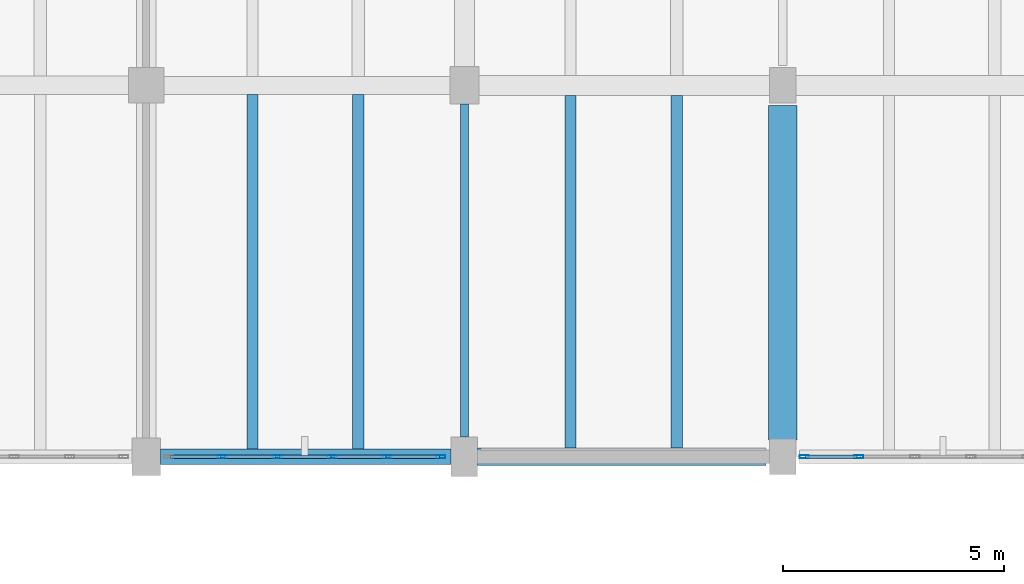
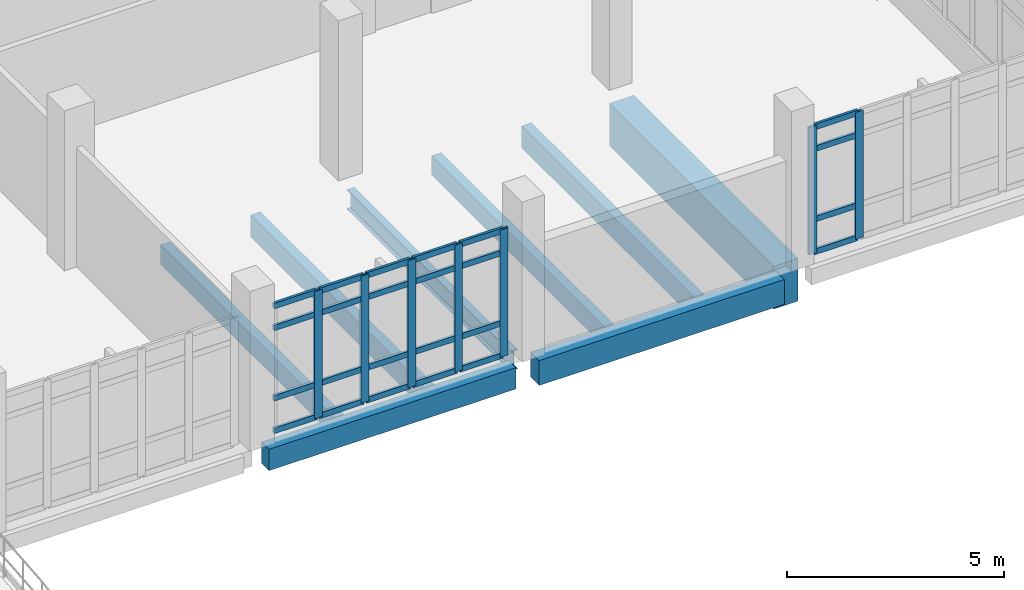
# One storey, part 71 of 124: 31 members, 8 beams, 2 elements without a shape of their own.
"""IFC4 building model written with IfcOpenShell, lengths in metres."""

from ifc_helpers import new_model, si_unit, direction, frame, origin, origin_2d, place, context, subcontext, project, spatial, rectangle, hollow_rectangle, i_section, extrude, material, material_profile, profile_set, type_object, element, aggregate, save


model = new_model("IFC4")

# Units and contexts
model_context = context("Model", 3, precision=1e-05, world=origin(), true_north=direction((0.0, 1.0)))
body_context = subcontext(model_context, "Body", "Model", "MODEL_VIEW")
ifc_project = project(units=[si_unit("LENGTHUNIT", "METRE"), si_unit("AREAUNIT", "SQUARE_METRE"), si_unit("VOLUMEUNIT", "CUBIC_METRE"), si_unit("PLANEANGLEUNIT", "RADIAN"), si_unit("MASSUNIT", "GRAM", prefix="KILO")], contexts=[model_context])

# Site, building, storey
site_placement = place(None, origin())
site = spatial("IfcSite", under=ifc_project, at=site_placement, CompositionType="ELEMENT")
building_placement = place(site_placement, origin())
building = spatial("IfcBuilding", under=site, at=building_placement, Name="Kalluvel Institute of Natural Sciences", CompositionType="ELEMENT")
storey_placement = place(building_placement, frame((0.0, 0.0, 9.89990234375)))
storey = spatial("IfcBuildingStorey", under=building, at=storey_placement, Name="L02", CompositionType="ELEMENT", Elevation=9.89990234375)

# Beams
ifc_material_1 = material(Name="Steel E350 Grade 350", Category="steel")
ifc_material_profile_1 = material_profile(ifc_material_1, i_section(OverallWidth=0.18994140625, OverallDepth=0.550048828125, WebThickness=0.01123046875, FlangeThickness=0.019287109375, FilletRadius=0.01806640625, at=origin_2d()), Name="ISMB 550")
ifc_profile_set_1 = profile_set([ifc_material_profile_1], Name="Steel E350 Grade 350")
beam_type_1 = type_object("IfcBeamType", Name="BM-ISMB550", PredefinedType="BEAM", material=ifc_profile_set_1)
beam_1_placement = place(storey_placement, frame((100.39990234375, 103.25, -0.594970703125), z_axis=(0.0, 1.0, 0.0), x_axis=(-1.0, 0.0, 0.0)))
element("IfcBeam", 1, at=beam_1_placement, inside=storey, type_object=beam_type_1, Name="L02 girder GIR-L02-NS-X1004-Y1028", PredefinedType="BEAM", context=body_context, shape_type="SweptSolid", body=[
    extrude(i_section(OverallWidth=0.18994140625, OverallDepth=0.550048828125, WebThickness=0.01123046875, FlangeThickness=0.019287109375, FilletRadius=0.01806640625, at=origin_2d()), origin(), (0.0, 0.0, 1.0), 7.52490234375),
])
ifc_material_2 = material(Name="Concrete M50", Category="concrete")
ifc_material_profile_2 = material_profile(ifc_material_2, rectangle(XDim=0.64990234375, YDim=1.199951171875, at=origin_2d()), Name="RCB 650x1200")
ifc_profile_set_2 = profile_set([ifc_material_profile_2], Name="Concrete M50")
beam_type_2 = type_object("IfcBeamType", Name="BM-RC650x1200", PredefinedType="BEAM", material=ifc_profile_set_2)
beam_2_placement = place(storey_placement, frame((107.60009765625, 103.175048828125, -0.919921875), z_axis=(0.0, 1.0, 0.0), x_axis=(-1.0, 0.0, 0.0)))
element("IfcBeam", 2, at=beam_2_placement, inside=storey, type_object=beam_type_2, Name="L02 girder GIR-L02-NS-X1076-Y1028", PredefinedType="BEAM", context=body_context, shape_type="SweptSolid", body=[
    extrude(rectangle(XDim=0.64990234375, YDim=1.199951171875, at=origin_2d()), origin(), (0.0, 0.0, 1.0), 7.574951171875),
])

# Curtain wall, members
ifc_material_3 = material(Name="Aluminium AW-6063 T6", Category="aluminium")
curtain_wall_type = type_object("IfcCurtainWallType", Name="CW-WET-45", PredefinedType="USERDEFINED", material=ifc_material_3)
curtain_wall_1_placement = place(storey_placement, origin())
curtain_wall_1 = element("IfcCurtainWall", 3, at=curtain_wall_1_placement, inside=storey, type_object=curtain_wall_type, Name="L02 Gothic lancet curtain wall CWA-L02-X937-Y1028", ObjectType="UNITISED LANCET FACADE", PredefinedType="USERDEFINED")
ifc_material_profile_3 = material_profile(ifc_material_3, hollow_rectangle(XDim=0.070068359375, YDim=0.2099609375, WallThickness=0.0048828125, at=origin_2d()), Name="CWM 70x210")
ifc_profile_set_3 = profile_set([ifc_material_profile_3], Name="Aluminium AW-6063 T6")
member_type_1 = type_object("IfcMemberType", Name="CWM-70x210", PredefinedType="MULLION", material=ifc_profile_set_3)
member_1_placement = place(storey_placement, frame((94.919921875, 102.800048828125, 0.0), z_axis=(0.0, 0.0, 1.0), x_axis=(0.0, 1.0, 0.0)))
member_1 = element("IfcMember", 4, at=member_1_placement, type_object=member_type_1, Name="CW-01 mullion 2", PredefinedType="MULLION", context=body_context, shape_type="SweptSolid", body=[
    extrude(hollow_rectangle(XDim=0.070068359375, YDim=0.2099609375, WallThickness=0.0048828125, at=origin_2d()), origin(), (0.0, 0.0, 1.0), 3.580078125),
])
member_2_placement = place(storey_placement, frame((96.1650390625, 102.800048828125, 0.0), z_axis=(0.0, 0.0, 1.0), x_axis=(0.0, 1.0, 0.0)))
member_2 = element("IfcMember", 5, at=member_2_placement, type_object=member_type_1, Name="CW-01 mullion 3", PredefinedType="MULLION", context=body_context, shape_type="SweptSolid", body=[
    extrude(hollow_rectangle(XDim=0.070068359375, YDim=0.2099609375, WallThickness=0.0048828125, at=origin_2d()), origin(), (0.0, 0.0, 1.0), 3.580078125),
])
member_3_placement = place(storey_placement, frame((97.409912109375, 102.800048828125, 0.0), z_axis=(0.0, 0.0, 1.0), x_axis=(0.0, 1.0, 0.0)))
member_3 = element("IfcMember", 6, at=member_3_placement, type_object=member_type_1, Name="CW-01 mullion 4", PredefinedType="MULLION", context=body_context, shape_type="SweptSolid", body=[
    extrude(hollow_rectangle(XDim=0.070068359375, YDim=0.2099609375, WallThickness=0.0048828125, at=origin_2d()), origin(), (0.0, 0.0, 1.0), 3.580078125),
])
member_4_placement = place(storey_placement, frame((98.655029296875, 102.800048828125, 0.0), z_axis=(0.0, 0.0, 1.0), x_axis=(0.0, 1.0, 0.0)))
member_4 = element("IfcMember", 7, at=member_4_placement, type_object=member_type_1, Name="CW-01 mullion 5", PredefinedType="MULLION", context=body_context, shape_type="SweptSolid", body=[
    extrude(hollow_rectangle(XDim=0.070068359375, YDim=0.2099609375, WallThickness=0.0048828125, at=origin_2d()), origin(), (0.0, 0.0, 1.0), 3.580078125),
])
member_5_placement = place(storey_placement, frame((99.864990234375, 102.800048828125, 0.0), z_axis=(0.0, 0.0, 1.0), x_axis=(0.0, 1.0, 0.0)))
member_5 = element("IfcMember", 8, at=member_5_placement, type_object=member_type_1, Name="CW-01 mullion 6", PredefinedType="MULLION", context=body_context, shape_type="SweptSolid", body=[
    extrude(hollow_rectangle(XDim=0.070068359375, YDim=0.2099609375, WallThickness=0.0048828125, at=origin_2d()), origin(), (0.0, 0.0, 1.0), 3.580078125),
])

curtain_wall_2_placement = place(storey_placement, origin())
curtain_wall_2 = element("IfcCurtainWall", 9, at=curtain_wall_2_placement, inside=storey, type_object=curtain_wall_type, Name="L02 Gothic lancet curtain wall CWA-L02-X1080-Y1028", ObjectType="UNITISED LANCET FACADE", PredefinedType="USERDEFINED")
member_6_placement = place(storey_placement, frame((108.0849609375, 102.800048828125, 0.0), z_axis=(0.0, 0.0, 1.0), x_axis=(0.0, 1.0, 0.0)))
member_6 = element("IfcMember", 10, at=member_6_placement, type_object=member_type_1, Name="CW-01 mullion 1", PredefinedType="MULLION", context=body_context, shape_type="SweptSolid", body=[
    extrude(hollow_rectangle(XDim=0.070068359375, YDim=0.2099609375, WallThickness=0.0048828125, at=origin_2d()), origin(), (0.0, 0.0, 1.0), 3.580078125),
])
member_7_placement = place(storey_placement, frame((109.320068359375, 102.800048828125, 0.0), z_axis=(0.0, 0.0, 1.0), x_axis=(0.0, 1.0, 0.0)))
member_7 = element("IfcMember", 11, at=member_7_placement, type_object=member_type_1, Name="CW-01 mullion 2", PredefinedType="MULLION", context=body_context, shape_type="SweptSolid", body=[
    extrude(hollow_rectangle(XDim=0.070068359375, YDim=0.2099609375, WallThickness=0.0048828125, at=origin_2d()), origin(), (0.0, 0.0, 1.0), 3.580078125),
])

# Member
ifc_material_profile_4 = material_profile(ifc_material_3, hollow_rectangle(XDim=0.070068359375, YDim=0.159912109375, WallThickness=0.0048828125, at=origin_2d()), Name="CWT 70x160")
ifc_profile_set_4 = profile_set([ifc_material_profile_4], Name="Aluminium AW-6063 T6")
member_type_2 = type_object("IfcMemberType", Name="CWT-70x160", PredefinedType="USERDEFINED", material=ifc_profile_set_4)
member_8_placement = place(storey_placement, frame((93.7451171875, 102.800048828125, 0.03515625), z_axis=(1.0, 0.0, 0.0), x_axis=(0.0, 1.0, 0.0)))
member_8 = element("IfcMember", 12, at=member_8_placement, type_object=member_type_2, Name="CW-01 transom 1.1", ObjectType="TRANSOM", PredefinedType="USERDEFINED", context=body_context, shape_type="SweptSolid", body=[
    extrude(hollow_rectangle(XDim=0.070068359375, YDim=0.159912109375, WallThickness=0.0048828125, at=origin_2d()), origin(), (0.0, 0.0, 1.0), 1.139892578125),
])

member_9_placement = place(storey_placement, frame((93.7451171875, 102.800048828125, 0.9501953125), z_axis=(1.0, 0.0, 0.0), x_axis=(0.0, 1.0, 0.0)))
member_9 = element("IfcMember", 13, at=member_9_placement, type_object=member_type_2, Name="CW-01 transom 1.2", ObjectType="TRANSOM", PredefinedType="USERDEFINED", context=body_context, shape_type="SweptSolid", body=[
    extrude(hollow_rectangle(XDim=0.070068359375, YDim=0.159912109375, WallThickness=0.0048828125, at=origin_2d()), origin(), (0.0, 0.0, 1.0), 1.139892578125),
])

member_10_placement = place(storey_placement, frame((93.7451171875, 102.800048828125, 2.93017578125), z_axis=(1.0, 0.0, 0.0), x_axis=(0.0, 1.0, 0.0)))
member_10 = element("IfcMember", 14, at=member_10_placement, type_object=member_type_2, Name="CW-01 transom 1.3", ObjectType="TRANSOM", PredefinedType="USERDEFINED", context=body_context, shape_type="SweptSolid", body=[
    extrude(hollow_rectangle(XDim=0.070068359375, YDim=0.159912109375, WallThickness=0.0048828125, at=origin_2d()), origin(), (0.0, 0.0, 1.0), 1.139892578125),
])

member_11_placement = place(storey_placement, frame((93.7451171875, 102.800048828125, 3.545166015625), z_axis=(1.0, 0.0, 0.0), x_axis=(0.0, 1.0, 0.0)))
member_11 = element("IfcMember", 15, at=member_11_placement, type_object=member_type_2, Name="CW-01 transom 1.4", ObjectType="TRANSOM", PredefinedType="USERDEFINED", context=body_context, shape_type="SweptSolid", body=[
    extrude(hollow_rectangle(XDim=0.070068359375, YDim=0.159912109375, WallThickness=0.0048828125, at=origin_2d()), origin(), (0.0, 0.0, 1.0), 1.139892578125),
])

member_12_placement = place(storey_placement, frame((94.955078125, 102.800048828125, 0.03515625), z_axis=(1.0, 0.0, 0.0), x_axis=(0.0, 1.0, 0.0)))
member_12 = element("IfcMember", 16, at=member_12_placement, type_object=member_type_2, Name="CW-01 transom 2.1", ObjectType="TRANSOM", PredefinedType="USERDEFINED", context=body_context, shape_type="SweptSolid", body=[
    extrude(hollow_rectangle(XDim=0.070068359375, YDim=0.159912109375, WallThickness=0.0048828125, at=origin_2d()), origin(), (0.0, 0.0, 1.0), 1.1748046875),
])

member_13_placement = place(storey_placement, frame((94.955078125, 102.800048828125, 0.9501953125), z_axis=(1.0, 0.0, 0.0), x_axis=(0.0, 1.0, 0.0)))
member_13 = element("IfcMember", 17, at=member_13_placement, type_object=member_type_2, Name="CW-01 transom 2.2", ObjectType="TRANSOM", PredefinedType="USERDEFINED", context=body_context, shape_type="SweptSolid", body=[
    extrude(hollow_rectangle(XDim=0.070068359375, YDim=0.159912109375, WallThickness=0.0048828125, at=origin_2d()), origin(), (0.0, 0.0, 1.0), 1.1748046875),
])

member_14_placement = place(storey_placement, frame((94.955078125, 102.800048828125, 2.93017578125), z_axis=(1.0, 0.0, 0.0), x_axis=(0.0, 1.0, 0.0)))
member_14 = element("IfcMember", 18, at=member_14_placement, type_object=member_type_2, Name="CW-01 transom 2.3", ObjectType="TRANSOM", PredefinedType="USERDEFINED", context=body_context, shape_type="SweptSolid", body=[
    extrude(hollow_rectangle(XDim=0.070068359375, YDim=0.159912109375, WallThickness=0.0048828125, at=origin_2d()), origin(), (0.0, 0.0, 1.0), 1.1748046875),
])

member_15_placement = place(storey_placement, frame((94.955078125, 102.800048828125, 3.545166015625), z_axis=(1.0, 0.0, 0.0), x_axis=(0.0, 1.0, 0.0)))
member_15 = element("IfcMember", 19, at=member_15_placement, type_object=member_type_2, Name="CW-01 transom 2.4", ObjectType="TRANSOM", PredefinedType="USERDEFINED", context=body_context, shape_type="SweptSolid", body=[
    extrude(hollow_rectangle(XDim=0.070068359375, YDim=0.159912109375, WallThickness=0.0048828125, at=origin_2d()), origin(), (0.0, 0.0, 1.0), 1.1748046875),
])

member_16_placement = place(storey_placement, frame((96.199951171875, 102.800048828125, 0.03515625), z_axis=(1.0, 0.0, 0.0), x_axis=(0.0, 1.0, 0.0)))
member_16 = element("IfcMember", 20, at=member_16_placement, type_object=member_type_2, Name="CW-01 transom 3.1", ObjectType="TRANSOM", PredefinedType="USERDEFINED", context=body_context, shape_type="SweptSolid", body=[
    extrude(hollow_rectangle(XDim=0.070068359375, YDim=0.159912109375, WallThickness=0.0048828125, at=origin_2d()), origin(), (0.0, 0.0, 1.0), 1.175048828125),
])

member_17_placement = place(storey_placement, frame((96.199951171875, 102.800048828125, 0.9501953125), z_axis=(1.0, 0.0, 0.0), x_axis=(0.0, 1.0, 0.0)))
member_17 = element("IfcMember", 21, at=member_17_placement, type_object=member_type_2, Name="CW-01 transom 3.2", ObjectType="TRANSOM", PredefinedType="USERDEFINED", context=body_context, shape_type="SweptSolid", body=[
    extrude(hollow_rectangle(XDim=0.070068359375, YDim=0.159912109375, WallThickness=0.0048828125, at=origin_2d()), origin(), (0.0, 0.0, 1.0), 1.175048828125),
])

member_18_placement = place(storey_placement, frame((96.199951171875, 102.800048828125, 2.93017578125), z_axis=(1.0, 0.0, 0.0), x_axis=(0.0, 1.0, 0.0)))
member_18 = element("IfcMember", 22, at=member_18_placement, type_object=member_type_2, Name="CW-01 transom 3.3", ObjectType="TRANSOM", PredefinedType="USERDEFINED", context=body_context, shape_type="SweptSolid", body=[
    extrude(hollow_rectangle(XDim=0.070068359375, YDim=0.159912109375, WallThickness=0.0048828125, at=origin_2d()), origin(), (0.0, 0.0, 1.0), 1.175048828125),
])

member_19_placement = place(storey_placement, frame((96.199951171875, 102.800048828125, 3.545166015625), z_axis=(1.0, 0.0, 0.0), x_axis=(0.0, 1.0, 0.0)))
member_19 = element("IfcMember", 23, at=member_19_placement, type_object=member_type_2, Name="CW-01 transom 3.4", ObjectType="TRANSOM", PredefinedType="USERDEFINED", context=body_context, shape_type="SweptSolid", body=[
    extrude(hollow_rectangle(XDim=0.070068359375, YDim=0.159912109375, WallThickness=0.0048828125, at=origin_2d()), origin(), (0.0, 0.0, 1.0), 1.175048828125),
])

member_20_placement = place(storey_placement, frame((97.445068359375, 102.800048828125, 0.03515625), z_axis=(1.0, 0.0, 0.0), x_axis=(0.0, 1.0, 0.0)))
member_20 = element("IfcMember", 24, at=member_20_placement, type_object=member_type_2, Name="CW-01 transom 4.1", ObjectType="TRANSOM", PredefinedType="USERDEFINED", context=body_context, shape_type="SweptSolid", body=[
    extrude(hollow_rectangle(XDim=0.070068359375, YDim=0.159912109375, WallThickness=0.0048828125, at=origin_2d()), origin(), (0.0, 0.0, 1.0), 1.175048828125),
])

member_21_placement = place(storey_placement, frame((97.445068359375, 102.800048828125, 0.9501953125), z_axis=(1.0, 0.0, 0.0), x_axis=(0.0, 1.0, 0.0)))
member_21 = element("IfcMember", 25, at=member_21_placement, type_object=member_type_2, Name="CW-01 transom 4.2", ObjectType="TRANSOM", PredefinedType="USERDEFINED", context=body_context, shape_type="SweptSolid", body=[
    extrude(hollow_rectangle(XDim=0.070068359375, YDim=0.159912109375, WallThickness=0.0048828125, at=origin_2d()), origin(), (0.0, 0.0, 1.0), 1.175048828125),
])

member_22_placement = place(storey_placement, frame((97.445068359375, 102.800048828125, 2.93017578125), z_axis=(1.0, 0.0, 0.0), x_axis=(0.0, 1.0, 0.0)))
member_22 = element("IfcMember", 26, at=member_22_placement, type_object=member_type_2, Name="CW-01 transom 4.3", ObjectType="TRANSOM", PredefinedType="USERDEFINED", context=body_context, shape_type="SweptSolid", body=[
    extrude(hollow_rectangle(XDim=0.070068359375, YDim=0.159912109375, WallThickness=0.0048828125, at=origin_2d()), origin(), (0.0, 0.0, 1.0), 1.175048828125),
])

member_23_placement = place(storey_placement, frame((97.445068359375, 102.800048828125, 3.545166015625), z_axis=(1.0, 0.0, 0.0), x_axis=(0.0, 1.0, 0.0)))
member_23 = element("IfcMember", 27, at=member_23_placement, type_object=member_type_2, Name="CW-01 transom 4.4", ObjectType="TRANSOM", PredefinedType="USERDEFINED", context=body_context, shape_type="SweptSolid", body=[
    extrude(hollow_rectangle(XDim=0.070068359375, YDim=0.159912109375, WallThickness=0.0048828125, at=origin_2d()), origin(), (0.0, 0.0, 1.0), 1.175048828125),
])

member_24_placement = place(storey_placement, frame((98.68994140625, 102.800048828125, 0.03515625), z_axis=(1.0, 0.0, 0.0), x_axis=(0.0, 1.0, 0.0)))
member_24 = element("IfcMember", 28, at=member_24_placement, type_object=member_type_2, Name="CW-01 transom 5.1", ObjectType="TRANSOM", PredefinedType="USERDEFINED", context=body_context, shape_type="SweptSolid", body=[
    extrude(hollow_rectangle(XDim=0.070068359375, YDim=0.159912109375, WallThickness=0.0048828125, at=origin_2d()), origin(), (0.0, 0.0, 1.0), 1.14013671875),
])

member_25_placement = place(storey_placement, frame((98.68994140625, 102.800048828125, 0.9501953125), z_axis=(1.0, 0.0, 0.0), x_axis=(0.0, 1.0, 0.0)))
member_25 = element("IfcMember", 29, at=member_25_placement, type_object=member_type_2, Name="CW-01 transom 5.2", ObjectType="TRANSOM", PredefinedType="USERDEFINED", context=body_context, shape_type="SweptSolid", body=[
    extrude(hollow_rectangle(XDim=0.070068359375, YDim=0.159912109375, WallThickness=0.0048828125, at=origin_2d()), origin(), (0.0, 0.0, 1.0), 1.14013671875),
])

member_26_placement = place(storey_placement, frame((98.68994140625, 102.800048828125, 2.93017578125), z_axis=(1.0, 0.0, 0.0), x_axis=(0.0, 1.0, 0.0)))
member_26 = element("IfcMember", 30, at=member_26_placement, type_object=member_type_2, Name="CW-01 transom 5.3", ObjectType="TRANSOM", PredefinedType="USERDEFINED", context=body_context, shape_type="SweptSolid", body=[
    extrude(hollow_rectangle(XDim=0.070068359375, YDim=0.159912109375, WallThickness=0.0048828125, at=origin_2d()), origin(), (0.0, 0.0, 1.0), 1.14013671875),
])

member_27_placement = place(storey_placement, frame((98.68994140625, 102.800048828125, 3.545166015625), z_axis=(1.0, 0.0, 0.0), x_axis=(0.0, 1.0, 0.0)))
member_27 = element("IfcMember", 31, at=member_27_placement, type_object=member_type_2, Name="CW-01 transom 5.4", ObjectType="TRANSOM", PredefinedType="USERDEFINED", context=body_context, shape_type="SweptSolid", body=[
    extrude(hollow_rectangle(XDim=0.070068359375, YDim=0.159912109375, WallThickness=0.0048828125, at=origin_2d()), origin(), (0.0, 0.0, 1.0), 1.14013671875),
])

aggregate(curtain_wall_1, [member_1, member_2, member_3, member_4, member_5, member_8, member_9, member_10, member_11, member_12, member_13, member_14, member_15, member_16, member_17, member_18, member_19, member_20, member_21, member_22, member_23, member_24, member_25, member_26, member_27])

member_28_placement = place(storey_placement, frame((108.1201171875, 102.800048828125, 0.03515625), z_axis=(1.0, 0.0, 0.0), x_axis=(0.0, 1.0, 0.0)))
member_28 = element("IfcMember", 32, at=member_28_placement, type_object=member_type_2, Name="CW-01 transom 1.1", ObjectType="TRANSOM", PredefinedType="USERDEFINED", context=body_context, shape_type="SweptSolid", body=[
    extrude(hollow_rectangle(XDim=0.070068359375, YDim=0.159912109375, WallThickness=0.0048828125, at=origin_2d()), origin(), (0.0, 0.0, 1.0), 1.164794921875),
])

member_29_placement = place(storey_placement, frame((108.1201171875, 102.800048828125, 0.9501953125), z_axis=(1.0, 0.0, 0.0), x_axis=(0.0, 1.0, 0.0)))
member_29 = element("IfcMember", 33, at=member_29_placement, type_object=member_type_2, Name="CW-01 transom 1.2", ObjectType="TRANSOM", PredefinedType="USERDEFINED", context=body_context, shape_type="SweptSolid", body=[
    extrude(hollow_rectangle(XDim=0.070068359375, YDim=0.159912109375, WallThickness=0.0048828125, at=origin_2d()), origin(), (0.0, 0.0, 1.0), 1.164794921875),
])

member_30_placement = place(storey_placement, frame((108.1201171875, 102.800048828125, 2.93017578125), z_axis=(1.0, 0.0, 0.0), x_axis=(0.0, 1.0, 0.0)))
member_30 = element("IfcMember", 34, at=member_30_placement, type_object=member_type_2, Name="CW-01 transom 1.3", ObjectType="TRANSOM", PredefinedType="USERDEFINED", context=body_context, shape_type="SweptSolid", body=[
    extrude(hollow_rectangle(XDim=0.070068359375, YDim=0.159912109375, WallThickness=0.0048828125, at=origin_2d()), origin(), (0.0, 0.0, 1.0), 1.164794921875),
])

member_31_placement = place(storey_placement, frame((108.1201171875, 102.800048828125, 3.545166015625), z_axis=(1.0, 0.0, 0.0), x_axis=(0.0, 1.0, 0.0)))
member_31 = element("IfcMember", 35, at=member_31_placement, type_object=member_type_2, Name="CW-01 transom 1.4", ObjectType="TRANSOM", PredefinedType="USERDEFINED", context=body_context, shape_type="SweptSolid", body=[
    extrude(hollow_rectangle(XDim=0.070068359375, YDim=0.159912109375, WallThickness=0.0048828125, at=origin_2d()), origin(), (0.0, 0.0, 1.0), 1.164794921875),
])

aggregate(curtain_wall_2, [member_6, member_7, member_28, member_29, member_30, member_31])

# Beams
ifc_material_4 = material(Name="Concrete M40", Category="concrete")
ifc_material_profile_5 = material_profile(ifc_material_4, rectangle(XDim=0.35009765625, YDim=0.60009765625, at=origin_2d()), Name="RCB 350x600")
ifc_profile_set_5 = profile_set([ifc_material_profile_5], Name="Concrete M40")
beam_type_3 = type_object("IfcBeamType", Name="SP-RC350x600", PredefinedType="SPANDREL", material=ifc_profile_set_5)
beam_3_placement = place(storey_placement, frame((93.52490234375, 102.800048828125, -0.619873046875), z_axis=(1.0, 0.0, 0.0), x_axis=(0.0, 1.0, 0.0)))
element("IfcBeam", 36, at=beam_3_placement, inside=storey, type_object=beam_type_3, Name="L02 girder GIR-L02-EW-X932-Y1028", PredefinedType="SPANDREL", context=body_context, shape_type="SweptSolid", body=[
    extrude(rectangle(XDim=0.35009765625, YDim=0.60009765625, at=origin_2d()), origin(), (0.0, 0.0, 1.0), 6.5751953125),
])
ifc_material_profile_6 = material_profile(ifc_material_4, rectangle(XDim=0.39990234375, YDim=0.699951171875, at=origin_2d()), Name="RCB 400x700")
ifc_profile_set_6 = profile_set([ifc_material_profile_6], Name="Concrete M40")
beam_type_4 = type_object("IfcBeamType", Name="SP-RC400x700", PredefinedType="SPANDREL", material=ifc_profile_set_6)
beam_4_placement = place(storey_placement, frame((100.699951171875, 102.800048828125, -0.669921875), z_axis=(1.0, 0.0, 0.0), x_axis=(0.0, 1.0, 0.0)))
element("IfcBeam", 37, at=beam_4_placement, inside=storey, type_object=beam_type_4, Name="L02 girder GIR-L02-EW-X1004-Y1028", PredefinedType="SPANDREL", context=body_context, shape_type="SweptSolid", body=[
    extrude(rectangle(XDim=0.39990234375, YDim=0.699951171875, at=origin_2d()), origin(), (0.0, 0.0, 1.0), 6.525146484375),
])
ifc_material_profile_7 = material_profile(ifc_material_4, rectangle(XDim=0.25, YDim=0.550048828125, at=origin_2d()), Name="WAF 250x550")
ifc_profile_set_7 = profile_set([ifc_material_profile_7], Name="Concrete M40")
beam_type_5 = type_object("IfcBeamType", Name="WJ-250x550", PredefinedType="JOIST", material=ifc_profile_set_7)
beam_5_placement = place(storey_placement, frame((95.60009765625, 102.97509765625, -0.594970703125), z_axis=(0.0, 1.0, 0.0), x_axis=(-1.0, 0.0, 0.0)))
element("IfcBeam", 38, at=beam_5_placement, inside=storey, type_object=beam_type_5, Name="L02 waffle joist RIB-L02-0200", PredefinedType="JOIST", context=body_context, shape_type="SweptSolid", body=[
    extrude(rectangle(XDim=0.25, YDim=0.550048828125, at=origin_2d()), origin(), (0.0, 0.0, 1.0), 8.02490234375),
])
beam_6_placement = place(storey_placement, frame((102.800048828125, 103.0, -0.594970703125), z_axis=(0.0, 1.0, 0.0), x_axis=(-1.0, 0.0, 0.0)))
element("IfcBeam", 39, at=beam_6_placement, inside=storey, type_object=beam_type_5, Name="L02 waffle joist RIB-L02-0206", PredefinedType="JOIST", context=body_context, shape_type="SweptSolid", body=[
    extrude(rectangle(XDim=0.25, YDim=0.550048828125, at=origin_2d()), origin(), (0.0, 0.0, 1.0), 7.97509765625),
])
ifc_material_profile_8 = material_profile(ifc_material_2, rectangle(XDim=0.260009765625, YDim=0.6201171875, at=origin_2d()), Name="WAF 260x620")
ifc_profile_set_8 = profile_set([ifc_material_profile_8], Name="Concrete M50")
beam_type_6 = type_object("IfcBeamType", Name="WJ-260x620", PredefinedType="JOIST", material=ifc_profile_set_8)
beam_7_placement = place(storey_placement, frame((98.0, 102.97509765625, -0.6298828125), z_axis=(0.0, 1.0, 0.0), x_axis=(-1.0, 0.0, 0.0)))
element("IfcBeam", 40, at=beam_7_placement, inside=storey, type_object=beam_type_6, Name="L02 waffle joist RIB-L02-0201", PredefinedType="JOIST", context=body_context, shape_type="SweptSolid", body=[
    extrude(rectangle(XDim=0.260009765625, YDim=0.6201171875, at=origin_2d()), origin(), (0.0, 0.0, 1.0), 8.02490234375),
])
beam_8_placement = place(storey_placement, frame((105.199951171875, 103.0, -0.6298828125), z_axis=(0.0, 1.0, 0.0), x_axis=(-1.0, 0.0, 0.0)))
element("IfcBeam", 41, at=beam_8_placement, inside=storey, type_object=beam_type_6, Name="L02 waffle joist RIB-L02-0207", PredefinedType="JOIST", context=body_context, shape_type="SweptSolid", body=[
    extrude(rectangle(XDim=0.260009765625, YDim=0.6201171875, at=origin_2d()), origin(), (0.0, 0.0, 1.0), 7.97509765625),
])

save(model, "model.ifc")
